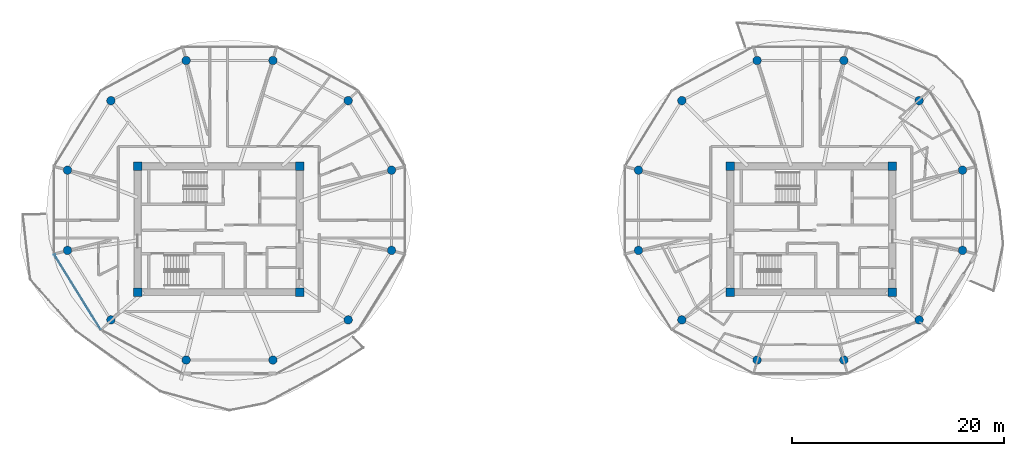
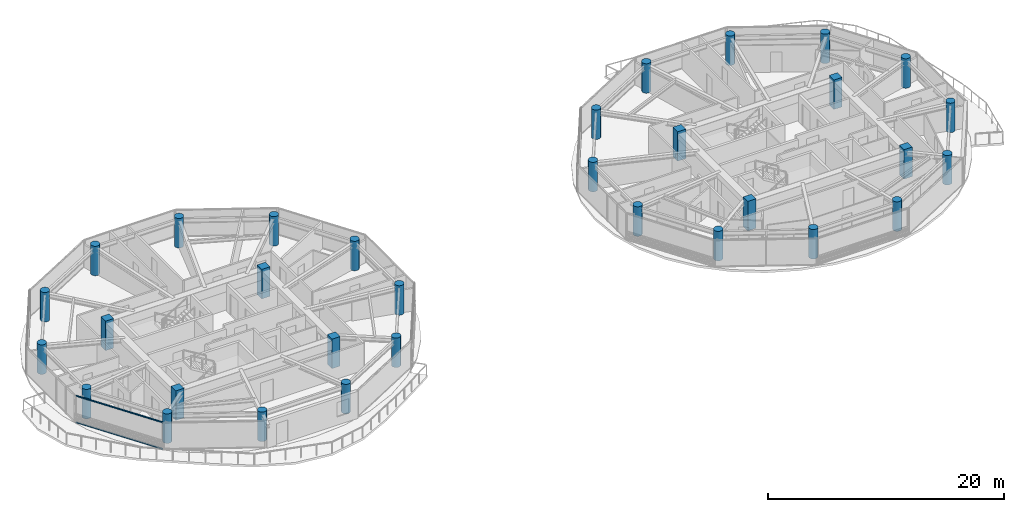
# One storey, part 1 of 22: 32 columns, 2 members, 1 element without a shape of its own.
"""IFC4 building model written with IfcOpenShell, lengths in metres."""

from ifc_helpers import new_model, si_unit, direction, frame, origin, origin_2d, place, context, subcontext, project, spatial, rectangle, circle, extrude, source, transform, mapped, material, layer, layer_set, material_profile, profile_set, type_object, type_shapes, element, aggregate, save


model = new_model("IFC4")

# Units and contexts
model_context = context("Model", 3, precision=1e-05, world=origin(), true_north=direction((0.0, 1.0)))
body_context = subcontext(model_context, "Body", "Model", "MODEL_VIEW")
ifc_project = project(units=[si_unit("LENGTHUNIT", "METRE"), si_unit("AREAUNIT", "SQUARE_METRE"), si_unit("VOLUMEUNIT", "CUBIC_METRE"), si_unit("PLANEANGLEUNIT", "RADIAN"), si_unit("MASSUNIT", "GRAM", prefix="KILO")], contexts=[model_context])

# Site, building, storey
site_placement = place(None, origin())
site = spatial("IfcSite", under=ifc_project, at=site_placement, CompositionType="ELEMENT")
building_placement = place(site_placement, origin())
building = spatial("IfcBuilding", under=site, at=building_placement, Name="Norrkilde Senior Care Towers", CompositionType="ELEMENT")
storey_placement = place(building_placement, frame((0.0, 0.0, 167.85009765625)))
storey = spatial("IfcBuildingStorey", under=building, at=storey_placement, Name="L52", CompositionType="ELEMENT", Elevation=167.85009765625)

# Columns
ifc_material_1 = material(Name="Concrete C60/75", Category="concrete")
ifc_material_profile_1 = material_profile(ifc_material_1, rectangle(XDim=0.800048828125, YDim=0.800048828125, at=origin_2d()), Name="RC COL 800x800")
ifc_profile_set_1 = profile_set([ifc_material_profile_1], Name="Concrete C60/75")
column_type_1 = type_object("IfcColumnType", Name="Column Core Corner Z3-Z4 800", PredefinedType="COLUMN", material=ifc_profile_set_1)
shared_shape_1 = source(origin(), body_context, "Body", "SweptSolid", [
    extrude(rectangle(XDim=0.800048828125, YDim=0.800048828125, at=origin_2d()), origin(), (0.0, 0.0, 1.0), 3.0498046875),
])
type_shapes(column_type_1, [shared_shape_1])
for number, where, z_axis, x_axis, name in (
    (1, (-35.64990234375, -5.949951171875, 0.0), (0.0, 0.0, 1.0), (1.0, 0.0, 0.0), "L52 Core W Corner Column 1"),
    (2, (-20.35009765625, -5.949951171875, 0.0), (0.0, 0.0, 1.0), (1.0, 0.0, 0.0), "L52 Core W Corner Column 2"),
    (3, (-20.35009765625, 5.949951171875, 0.0), (0.0, 0.0, 1.0), (1.0, 0.0, 0.0), "L52 Core W Corner Column 3"),
    (4, (-35.64990234375, 5.949951171875, 0.0), (0.0, 0.0, 1.0), (1.0, 0.0, 0.0), "L52 Core W Corner Column 4"),
    (5, (20.35009765625, -5.949951171875, 0.0), (0.0, 0.0, 1.0), (1.0, 0.0, 0.0), "L52 Core E Corner Column 1"),
    (6, (35.64990234375, -5.949951171875, 0.0), (0.0, 0.0, 1.0), (1.0, 0.0, 0.0), "L52 Core E Corner Column 2"),
    (7, (35.64990234375, 5.949951171875, 0.0), (0.0, 0.0, 1.0), (1.0, 0.0, 0.0), "L52 Core E Corner Column 3"),
    (8, (20.35009765625, 5.949951171875, 0.0), (0.0, 0.0, 1.0), (1.0, 0.0, 0.0), "L52 Core E Corner Column 4"),
):
    element("IfcColumn", number, at=place(storey_placement, frame(where, z_axis=z_axis, x_axis=x_axis)), inside=storey, type_object=column_type_1, Name=name, PredefinedType="COLUMN", context=body_context, shape_type="MappedRepresentation", body=[
        mapped(shared_shape_1, transform((0.0, 0.0, 0.0), x_axis=(1.0, 0.0, 0.0), y_axis=(0.0, 1.0, 0.0), z_axis=(0.0, 0.0, 1.0), scale=1.0)),
    ])
ifc_material_2 = material(Name="Concrete C50/60", Category="concrete")
ifc_material_profile_2 = material_profile(ifc_material_2, circle(Radius=0.39990234375, at=origin_2d()), Name="RC CIR 800")
ifc_profile_set_2 = profile_set([ifc_material_profile_2], Name="Concrete C50/60")
column_type_2 = type_object("IfcColumnType", Name="Column Perimeter Z3 800", PredefinedType="COLUMN", material=ifc_profile_set_2)
shared_shape_2 = source(origin(), body_context, "Body", "SweptSolid", [
    extrude(circle(Radius=0.39990234375, at=origin_2d()), origin(), (0.0, 0.0, 1.0), 3.0498046875),
])
type_shapes(column_type_2, [shared_shape_2])
for number, where, z_axis, x_axis, name in (
    (9, (-11.6650390625, 5.567138671875, 0.0), (0.0, 0.0, 1.0), (1.0, 0.0, 0.0), "L52 Drum W Perimeter Column 01"),
    (10, (-15.767333984375, 12.134521484375, 0.0), (0.0, 0.0, 1.0), (1.0, 0.0, 0.0), "L52 Drum W Perimeter Column 02"),
    (11, (-22.872802734375, 15.92626953125, 0.0), (0.0, 0.0, 1.0), (1.0, 0.0, 0.0), "L52 Drum W Perimeter Column 03"),
    (12, (-31.077392578125, 15.92626953125, 0.0), (0.0, 0.0, 1.0), (1.0, 0.0, 0.0), "L52 Drum W Perimeter Column 04"),
    (13, (-38.1826171875, 12.134521484375, 0.0), (0.0, 0.0, 1.0), (1.0, 0.0, 0.0), "L52 Drum W Perimeter Column 05"),
    (14, (-42.284912109375, 5.567138671875, 0.0), (0.0, 0.0, 1.0), (1.0, 0.0, 0.0), "L52 Drum W Perimeter Column 06"),
    (15, (-42.284912109375, -2.016357421875, 0.0), (0.0, 0.0, 1.0), (1.0, 0.0, 0.0), "L52 Drum W Perimeter Column 07"),
    (16, (-38.1826171875, -8.583740234375, 0.0), (0.0, 0.0, 1.0), (1.0, 0.0, 0.0), "L52 Drum W Perimeter Column 08"),
    (17, (-31.077392578125, -12.37548828125, 0.0), (0.0, 0.0, 1.0), (1.0, 0.0, 0.0), "L52 Drum W Perimeter Column 09"),
    (18, (-22.872802734375, -12.37548828125, 0.0), (0.0, 0.0, 1.0), (1.0, 0.0, 0.0), "L52 Drum W Perimeter Column 10"),
    (19, (-15.767333984375, -8.583740234375, 0.0), (0.0, 0.0, 1.0), (1.0, 0.0, 0.0), "L52 Drum W Perimeter Column 11"),
    (20, (-11.6650390625, -2.016357421875, 0.0), (0.0, 0.0, 1.0), (1.0, 0.0, 0.0), "L52 Drum W Perimeter Column 12"),
    (21, (42.284912109375, 5.567138671875, 0.0), (0.0, 0.0, 1.0), (1.0, 0.0, 0.0), "L52 Drum E Perimeter Column 01"),
    (22, (38.1826171875, 12.134521484375, 0.0), (0.0, 0.0, 1.0), (1.0, 0.0, 0.0), "L52 Drum E Perimeter Column 02"),
    (23, (31.077392578125, 15.92626953125, 0.0), (0.0, 0.0, 1.0), (1.0, 0.0, 0.0), "L52 Drum E Perimeter Column 03"),
    (24, (22.872802734375, 15.92626953125, 0.0), (0.0, 0.0, 1.0), (1.0, 0.0, 0.0), "L52 Drum E Perimeter Column 04"),
    (25, (15.767333984375, 12.134521484375, 0.0), (0.0, 0.0, 1.0), (1.0, 0.0, 0.0), "L52 Drum E Perimeter Column 05"),
    (26, (11.6650390625, 5.567138671875, 0.0), (0.0, 0.0, 1.0), (1.0, 0.0, 0.0), "L52 Drum E Perimeter Column 06"),
    (27, (11.6650390625, -2.016357421875, 0.0), (0.0, 0.0, 1.0), (1.0, 0.0, 0.0), "L52 Drum E Perimeter Column 07"),
    (28, (15.767333984375, -8.583740234375, 0.0), (0.0, 0.0, 1.0), (1.0, 0.0, 0.0), "L52 Drum E Perimeter Column 08"),
    (29, (22.872802734375, -12.37548828125, 0.0), (0.0, 0.0, 1.0), (1.0, 0.0, 0.0), "L52 Drum E Perimeter Column 09"),
    (30, (31.077392578125, -12.37548828125, 0.0), (0.0, 0.0, 1.0), (1.0, 0.0, 0.0), "L52 Drum E Perimeter Column 10"),
    (31, (38.1826171875, -8.583740234375, 0.0), (0.0, 0.0, 1.0), (1.0, 0.0, 0.0), "L52 Drum E Perimeter Column 11"),
    (32, (42.284912109375, -2.016357421875, 0.0), (0.0, 0.0, 1.0), (1.0, 0.0, 0.0), "L52 Drum E Perimeter Column 12"),
):
    element("IfcColumn", number, at=place(storey_placement, frame(where, z_axis=z_axis, x_axis=x_axis)), inside=storey, type_object=column_type_2, Name=name, PredefinedType="COLUMN", context=body_context, shape_type="MappedRepresentation", body=[
        mapped(shared_shape_2, transform((0.0, 0.0, 0.0), x_axis=(1.0, 0.0, 0.0), y_axis=(0.0, 1.0, 0.0), z_axis=(0.0, 0.0, 1.0), scale=1.0)),
    ])

# Curtain wall, members
ifc_material_3 = material(Name="Triple Low-E Insulated Glazing", Category="glass")
ifc_layer = layer(ifc_material_3, 0.18994140625)
ifc_layer_set = layer_set([ifc_layer], Name="Triple Low-E Insulated Glazing")
curtain_wall_type = type_object("IfcCurtainWallType", Name="CW4 Zone 3 Senior Residence Curtain Wall", PredefinedType="NOTDEFINED", material=ifc_layer_set)
curtain_wall_placement = place(storey_placement, origin())
curtain_wall = element("IfcCurtainWall", 33, at=curtain_wall_placement, inside=storey, type_object=curtain_wall_type, Name="L52 Drum W Curtain Wall 06", PredefinedType="NOTDEFINED")
ifc_material_4 = material(Name="Anodised Aluminium", Category="aluminium")
ifc_material_profile_3 = material_profile(ifc_material_4, rectangle(XDim=0.06005859375, YDim=0.1201171875, at=origin_2d()), Name="ALU TRAN 60x120")
ifc_profile_set_3 = profile_set([ifc_material_profile_3], Name="Anodised Aluminium")
member_type = type_object("IfcMemberType", Name="Curtain Wall Transom Typical 60x120", PredefinedType="USERDEFINED", material=ifc_profile_set_3)
shared_shape_3 = source(origin(), body_context, "Body", "SweptSolid", [
    extrude(rectangle(XDim=0.06005859375, YDim=0.1201171875, at=origin_2d()), origin(), (0.0, 0.0, 1.0), 8.301513671875),
])
type_shapes(member_type, [shared_shape_3])
member_1_placement = place(storey_placement, frame((-39.157470703125, -9.468994140625, 0.02978515625), z_axis=(-0.527368718394, 0.849636531029, 0.0), x_axis=(-0.849636531029, -0.527368718394, 0.0)))
member_1 = element("IfcMember", 34, at=member_1_placement, type_object=member_type, Name="CW-4 transom 1.1", ObjectType="TRANSOM", PredefinedType="USERDEFINED", context=body_context, shape_type="MappedRepresentation", body=[
    mapped(shared_shape_3, transform((0.0, 0.0, 0.0), x_axis=(1.0, 0.0, 0.0), y_axis=(0.0, 1.0, 0.0), z_axis=(0.0, 0.0, 1.0), scale=1.0)),
])
member_2_placement = place(storey_placement, frame((-39.157470703125, -9.468994140625, 2.77978515625), z_axis=(-0.527368718394, 0.849636531029, 0.0), x_axis=(-0.849636531029, -0.527368718394, 0.0)))
member_2 = element("IfcMember", 35, at=member_2_placement, type_object=member_type, Name="CW-4 transom 1.2", ObjectType="TRANSOM", PredefinedType="USERDEFINED", context=body_context, shape_type="MappedRepresentation", body=[
    mapped(shared_shape_3, transform((0.0, 0.0, 0.0), x_axis=(1.0, 0.0, 0.0), y_axis=(0.0, 1.0, 0.0), z_axis=(0.0, 0.0, 1.0), scale=1.0)),
])
aggregate(curtain_wall, [member_1, member_2])

save(model, "model.ifc")
